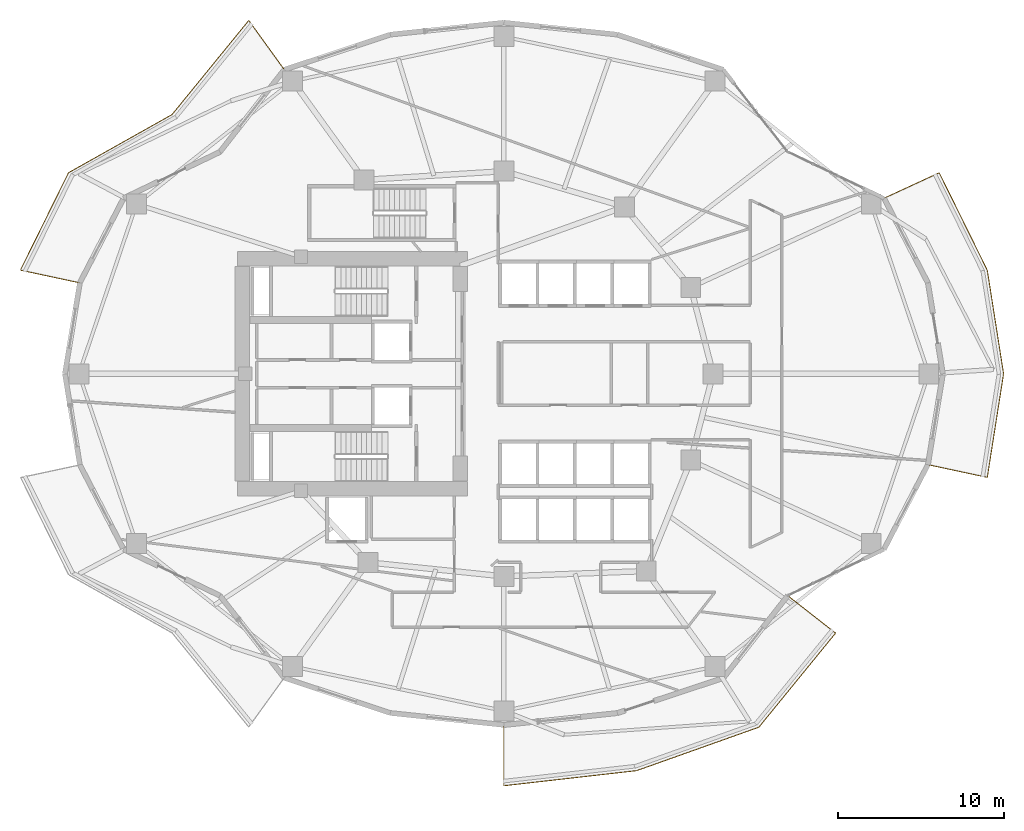
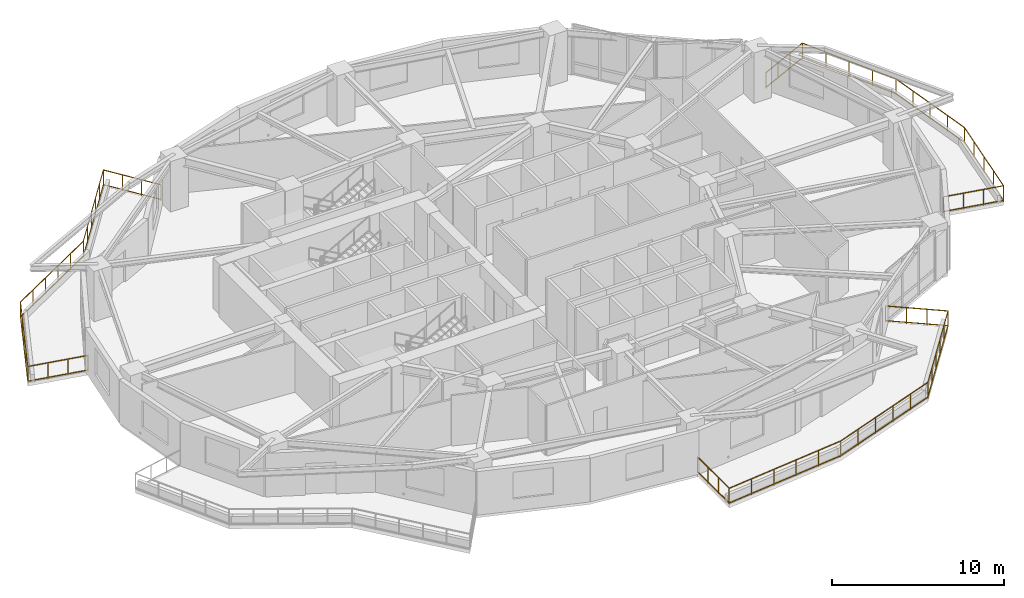
# One storey, part 12 of 13: 3 railings.
"""IFC4 building model written with IfcOpenShell, lengths in metres."""

from ifc_helpers import new_model, si_unit, direction, frame, origin, origin_2d, place, context, subcontext, project, spatial, rectangle, extrude, material, type_object, element, save


model = new_model("IFC4")

# Units and contexts
model_context = context("Model", 3, precision=1e-05, world=origin(), true_north=direction((0.0, 1.0)))
body_context = subcontext(model_context, "Body", "Model", "MODEL_VIEW")
ifc_project = project(units=[si_unit("LENGTHUNIT", "METRE"), si_unit("AREAUNIT", "SQUARE_METRE"), si_unit("VOLUMEUNIT", "CUBIC_METRE"), si_unit("PLANEANGLEUNIT", "RADIAN"), si_unit("MASSUNIT", "GRAM", prefix="KILO")], contexts=[model_context])

# Site, building, storey
site_placement = place(None, origin())
site = spatial("IfcSite", under=ifc_project, at=site_placement, CompositionType="ELEMENT")
building_placement = place(site_placement, origin())
building = spatial("IfcBuilding", under=site, at=building_placement, Name="Kolvaren Gate Tower and Convention Centre", CompositionType="ELEMENT")
storey_placement = place(building_placement, frame((0.0, 0.0, 76.550048828125)))
storey = spatial("IfcBuildingStorey", under=building, at=storey_placement, Name="L18", CompositionType="ELEMENT", Elevation=76.550048828125)

# Railings
ifc_material = material(Name="Brushed Stainless Steel Grade 316L", Category="steel")
railing_type = type_object("IfcRailingType", Name="ARCH-RL-GUARD-1150", PredefinedType="GUARDRAIL", material=ifc_material)
railing_1_placement = place(storey_placement, frame((16.90625, 45.31640625, 0.0)))
element("IfcRailing", 1, at=railing_1_placement, inside=storey, type_object=railing_type, Name="Tower L18 Terrace Perimeter Guardrail GR-1", PredefinedType="GUARDRAIL", context=body_context, shape_type="SweptSolid", body=[
    extrude(rectangle(XDim=0.048095703125, YDim=0.048095703125, at=origin_2d()), frame((-0.016357421875, 0.022705078125, 1.1259765625), z_axis=(-0.585212870465, 0.810879705161, 0.0), x_axis=(-0.810879705161, -0.585212870465, 0.0)), (0.0, 0.0, 1.0), 3.603759765625),
    extrude(rectangle(XDim=0.048095703125, YDim=0.048095703125, at=origin_2d()), frame((-0.016357421875, 0.022705078125, 0.083984375), z_axis=(-0.585212870465, 0.810879705161, 0.0), x_axis=(-0.810879705161, -0.585212870465, 0.0)), (0.0, 0.0, 1.0), 3.603759765625),
    extrude(rectangle(XDim=0.048095703125, YDim=0.048095703125, at=origin_2d()), frame((-2.15966796875, 2.946044921875, 1.1259765625), z_axis=(-0.631819273026, -0.775115737315, 0.0), x_axis=(0.775115737315, -0.631819273026, 0.0)), (0.0, 0.0, 1.0), 7.259765625),
    extrude(rectangle(XDim=0.048095703125, YDim=0.048095703125, at=origin_2d()), frame((-2.15966796875, 2.946044921875, 0.083984375), z_axis=(-0.631819273026, -0.775115737315, 0.0), x_axis=(0.775115737315, -0.631819273026, 0.0)), (0.0, 0.0, 1.0), 7.259765625),
    extrude(rectangle(XDim=0.048095703125, YDim=0.048095703125, at=origin_2d()), frame((-6.78857421875, -2.716552734375, 1.1259765625), z_axis=(-0.871783301661, -0.489891697159, 0.0), x_axis=(0.489891697159, -0.871783301661, 0.0)), (0.0, 0.0, 1.0), 7.096435546875),
    extrude(rectangle(XDim=0.048095703125, YDim=0.048095703125, at=origin_2d()), frame((-6.78857421875, -2.716552734375, 0.083984375), z_axis=(-0.871783301661, -0.489891697159, 0.0), x_axis=(0.489891697159, -0.871783301661, 0.0)), (0.0, 0.0, 1.0), 7.096435546875),
    extrude(rectangle(XDim=0.048095703125, YDim=0.048095703125, at=origin_2d()), frame((-13.011962890625, -6.23193359375, 1.1259765625), z_axis=(-0.442686636348, -0.89667638644, 0.0), x_axis=(0.89667638644, -0.442686636348, 0.0)), (0.0, 0.0, 1.0), 6.488525390625),
    extrude(rectangle(XDim=0.048095703125, YDim=0.048095703125, at=origin_2d()), frame((-13.011962890625, -6.23193359375, 0.083984375), z_axis=(-0.442686636348, -0.89667638644, 0.0), x_axis=(0.89667638644, -0.442686636348, 0.0)), (0.0, 0.0, 1.0), 6.488525390625),
    extrude(rectangle(XDim=0.048095703125, YDim=0.048095703125, at=origin_2d()), frame((-15.869384765625, -12.0810546875, 1.1259765625), z_axis=(0.977791675321, -0.209579196661, 0.0), x_axis=(0.209579196661, 0.977791675321, 0.0)), (0.0, 0.0, 1.0), 3.60400390625),
    extrude(rectangle(XDim=0.048095703125, YDim=0.048095703125, at=origin_2d()), frame((-15.869384765625, -12.0810546875, 0.083984375), z_axis=(0.977791675321, -0.209579196661, 0.0), x_axis=(0.209579196661, 0.977791675321, 0.0)), (0.0, 0.0, 1.0), 3.60400390625),
    extrude(rectangle(XDim=0.0419921875, YDim=0.0419921875, at=origin_2d()), origin(), (0.0, 0.0, 1.0), 1.14990234375),
    extrude(rectangle(XDim=0.0419921875, YDim=0.0419921875, at=origin_2d()), frame((-2.141845703125, 2.9677734375, 0.0)), (0.0, 0.0, 1.0), 1.14990234375),
    extrude(rectangle(XDim=0.0419921875, YDim=0.0419921875, at=origin_2d()), frame((-0.7138671875, 0.9892578125, 0.0)), (0.0, 0.0, 1.0), 1.099853515625),
    extrude(rectangle(XDim=0.0419921875, YDim=0.0419921875, at=origin_2d()), frame((-1.427978515625, 1.978515625, 0.0)), (0.0, 0.0, 1.0), 1.099853515625),
    extrude(rectangle(XDim=0.0419921875, YDim=0.0419921875, at=origin_2d()), frame((-6.76416015625, -2.702880859375, 0.0)), (0.0, 0.0, 1.0), 1.14990234375),
    extrude(rectangle(XDim=0.0419921875, YDim=0.0419921875, at=origin_2d()), frame((-3.06640625, 1.833740234375, 0.0)), (0.0, 0.0, 1.0), 1.099853515625),
    extrude(rectangle(XDim=0.0419921875, YDim=0.0419921875, at=origin_2d()), frame((-3.99072265625, 0.699462890625, 0.0)), (0.0, 0.0, 1.0), 1.099853515625),
    extrude(rectangle(XDim=0.0419921875, YDim=0.0419921875, at=origin_2d()), frame((-4.915283203125, -0.4345703125, 0.0)), (0.0, 0.0, 1.0), 1.099853515625),
    extrude(rectangle(XDim=0.0419921875, YDim=0.0419921875, at=origin_2d()), frame((-5.839599609375, -1.56884765625, 0.0)), (0.0, 0.0, 1.0), 1.099853515625),
    extrude(rectangle(XDim=0.0419921875, YDim=0.0419921875, at=origin_2d()), frame((-12.99951171875, -6.206787109375, 0.0)), (0.0, 0.0, 1.0), 1.14990234375),
    extrude(rectangle(XDim=0.0419921875, YDim=0.0419921875, at=origin_2d()), frame((-8.01123046875, -3.403564453125, 0.0)), (0.0, 0.0, 1.0), 1.099853515625),
    extrude(rectangle(XDim=0.0419921875, YDim=0.0419921875, at=origin_2d()), frame((-9.25830078125, -4.1044921875, 0.0)), (0.0, 0.0, 1.0), 1.099853515625),
    extrude(rectangle(XDim=0.0419921875, YDim=0.0419921875, at=origin_2d()), frame((-10.50537109375, -4.80517578125, 0.0)), (0.0, 0.0, 1.0), 1.099853515625),
    extrude(rectangle(XDim=0.0419921875, YDim=0.0419921875, at=origin_2d()), frame((-11.75244140625, -5.506103515625, 0.0)), (0.0, 0.0, 1.0), 1.099853515625),
    extrude(rectangle(XDim=0.0419921875, YDim=0.0419921875, at=origin_2d()), frame((-15.896728515625, -12.0751953125, 0.0)), (0.0, 0.0, 1.0), 1.14990234375),
    extrude(rectangle(XDim=0.0419921875, YDim=0.0419921875, at=origin_2d()), frame((-13.723876953125, -7.673828125, 0.0)), (0.0, 0.0, 1.0), 1.099853515625),
    extrude(rectangle(XDim=0.0419921875, YDim=0.0419921875, at=origin_2d()), frame((-14.4482421875, -9.14111328125, 0.0)), (0.0, 0.0, 1.0), 1.099853515625),
    extrude(rectangle(XDim=0.0419921875, YDim=0.0419921875, at=origin_2d()), frame((-15.17236328125, -10.608154296875, 0.0)), (0.0, 0.0, 1.0), 1.099853515625),
    extrude(rectangle(XDim=0.0419921875, YDim=0.0419921875, at=origin_2d()), frame((-12.31787109375, -12.84228515625, 0.0)), (0.0, 0.0, 1.0), 1.14990234375),
    extrude(rectangle(XDim=0.0419921875, YDim=0.0419921875, at=origin_2d()), frame((-14.703857421875, -12.330810546875, 0.0)), (0.0, 0.0, 1.0), 1.099853515625),
    extrude(rectangle(XDim=0.0419921875, YDim=0.0419921875, at=origin_2d()), frame((-13.5107421875, -12.586669921875, 0.0)), (0.0, 0.0, 1.0), 1.099853515625),
])
railing_2_placement = place(storey_placement, frame((30.125, 5.85009765625, 0.0)))
element("IfcRailing", 2, at=railing_2_placement, inside=storey, type_object=railing_type, Name="Tower L18 Terrace Perimeter Guardrail GR-3", PredefinedType="GUARDRAIL", context=body_context, shape_type="SweptSolid", body=[
    extrude(rectangle(XDim=0.048095703125, YDim=0.048095703125, at=origin_2d()), frame((0.0, -0.028076171875, 1.1259765625), z_axis=(0.0, -1.0, 0.0), x_axis=(1.0, 0.0, 0.0)), (0.0, 0.0, 1.0), 3.60400390625),
    extrude(rectangle(XDim=0.048095703125, YDim=0.048095703125, at=origin_2d()), frame((0.0, -0.028076171875, 0.083984375), z_axis=(0.0, -1.0, 0.0), x_axis=(1.0, 0.0, 0.0)), (0.0, 0.0, 1.0), 3.60400390625),
    extrude(rectangle(XDim=0.048095703125, YDim=0.048095703125, at=origin_2d()), frame((0.02783203125, -3.656982421875, 1.1259765625), z_axis=(0.993598144351, 0.112972242349, 0.0), x_axis=(-0.112972242349, 0.993598144351, 0.0)), (0.0, 0.0, 1.0), 8.000244140625),
    extrude(rectangle(XDim=0.048095703125, YDim=0.048095703125, at=origin_2d()), frame((0.02783203125, -3.656982421875, 0.083984375), z_axis=(0.993598144351, 0.112972242349, 0.0), x_axis=(-0.112972242349, 0.993598144351, 0.0)), (0.0, 0.0, 1.0), 8.000244140625),
    extrude(rectangle(XDim=0.048095703125, YDim=0.048095703125, at=origin_2d()), frame((8.03125, -2.74072265625, 1.1259765625), z_axis=(0.942200211781, 0.335050385643, 0.0), x_axis=(-0.335050385643, 0.942200211781, 0.0)), (0.0, 0.0, 1.0), 7.7509765625),
    extrude(rectangle(XDim=0.048095703125, YDim=0.048095703125, at=origin_2d()), frame((8.03125, -2.74072265625, 0.083984375), z_axis=(0.942200211781, 0.335050385643, 0.0), x_axis=(-0.335050385643, 0.942200211781, 0.0)), (0.0, 0.0, 1.0), 7.7509765625),
    extrude(rectangle(XDim=0.048095703125, YDim=0.048095703125, at=origin_2d()), frame((15.37841796875, -0.112548828125, 1.1259765625), z_axis=(0.631819273026, 0.775115737315, 0.0), x_axis=(-0.775115737315, 0.631819273026, 0.0)), (0.0, 0.0, 1.0), 7.259765625),
    extrude(rectangle(XDim=0.048095703125, YDim=0.048095703125, at=origin_2d()), frame((15.37841796875, -0.112548828125, 0.083984375), z_axis=(0.631819273026, 0.775115737315, 0.0), x_axis=(-0.775115737315, 0.631819273026, 0.0)), (0.0, 0.0, 1.0), 7.259765625),
    extrude(rectangle(XDim=0.048095703125, YDim=0.048095703125, at=origin_2d()), frame((19.960693359375, 5.5537109375, 1.1259765625), z_axis=(-0.787988976981, 0.61568934712, 0.0), x_axis=(-0.61568934712, -0.787988976981, 0.0)), (0.0, 0.0, 1.0), 3.60400390625),
    extrude(rectangle(XDim=0.048095703125, YDim=0.048095703125, at=origin_2d()), frame((19.960693359375, 5.5537109375, 0.083984375), z_axis=(-0.787988976981, 0.61568934712, 0.0), x_axis=(-0.61568934712, -0.787988976981, 0.0)), (0.0, 0.0, 1.0), 3.60400390625),
    extrude(rectangle(XDim=0.0419921875, YDim=0.0419921875, at=origin_2d()), origin(), (0.0, 0.0, 1.0), 1.14990234375),
    extrude(rectangle(XDim=0.0419921875, YDim=0.0419921875, at=origin_2d()), frame((0.0, -3.66015625, 0.0)), (0.0, 0.0, 1.0), 1.14990234375),
    extrude(rectangle(XDim=0.0419921875, YDim=0.0419921875, at=origin_2d()), frame((0.0, -1.219970703125, 0.0)), (0.0, 0.0, 1.0), 1.099853515625),
    extrude(rectangle(XDim=0.0419921875, YDim=0.0419921875, at=origin_2d()), frame((0.0, -2.440185546875, 0.0)), (0.0, 0.0, 1.0), 1.099853515625),
    extrude(rectangle(XDim=0.0419921875, YDim=0.0419921875, at=origin_2d()), frame((8.0048828125, -2.75, 0.0)), (0.0, 0.0, 1.0), 1.14990234375),
    extrude(rectangle(XDim=0.0419921875, YDim=0.0419921875, at=origin_2d()), frame((1.60107421875, -3.47802734375, 0.0)), (0.0, 0.0, 1.0), 1.099853515625),
    extrude(rectangle(XDim=0.0419921875, YDim=0.0419921875, at=origin_2d()), frame((3.201904296875, -3.296142578125, 0.0)), (0.0, 0.0, 1.0), 1.099853515625),
    extrude(rectangle(XDim=0.0419921875, YDim=0.0419921875, at=origin_2d()), frame((4.802978515625, -3.114013671875, 0.0)), (0.0, 0.0, 1.0), 1.099853515625),
    extrude(rectangle(XDim=0.0419921875, YDim=0.0419921875, at=origin_2d()), frame((6.40380859375, -2.93212890625, 0.0)), (0.0, 0.0, 1.0), 1.099853515625),
    extrude(rectangle(XDim=0.0419921875, YDim=0.0419921875, at=origin_2d()), frame((15.360595703125, -0.13427734375, 0.0)), (0.0, 0.0, 1.0), 1.14990234375),
    extrude(rectangle(XDim=0.0419921875, YDim=0.0419921875, at=origin_2d()), frame((9.47607421875, -2.226806640625, 0.0)), (0.0, 0.0, 1.0), 1.099853515625),
    extrude(rectangle(XDim=0.0419921875, YDim=0.0419921875, at=origin_2d()), frame((10.947265625, -1.70361328125, 0.0)), (0.0, 0.0, 1.0), 1.099853515625),
    extrude(rectangle(XDim=0.0419921875, YDim=0.0419921875, at=origin_2d()), frame((12.418212890625, -1.1806640625, 0.0)), (0.0, 0.0, 1.0), 1.099853515625),
    extrude(rectangle(XDim=0.0419921875, YDim=0.0419921875, at=origin_2d()), frame((13.889404296875, -0.657470703125, 0.0)), (0.0, 0.0, 1.0), 1.099853515625),
    extrude(rectangle(XDim=0.0419921875, YDim=0.0419921875, at=origin_2d()), frame((19.98291015625, 5.536376953125, 0.0)), (0.0, 0.0, 1.0), 1.14990234375),
    extrude(rectangle(XDim=0.0419921875, YDim=0.0419921875, at=origin_2d()), frame((16.28515625, 0.999755859375, 0.0)), (0.0, 0.0, 1.0), 1.099853515625),
    extrude(rectangle(XDim=0.0419921875, YDim=0.0419921875, at=origin_2d()), frame((17.20947265625, 2.134033203125, 0.0)), (0.0, 0.0, 1.0), 1.099853515625),
    extrude(rectangle(XDim=0.0419921875, YDim=0.0419921875, at=origin_2d()), frame((18.134033203125, 3.26806640625, 0.0)), (0.0, 0.0, 1.0), 1.099853515625),
    extrude(rectangle(XDim=0.0419921875, YDim=0.0419921875, at=origin_2d()), frame((19.058349609375, 4.40234375, 0.0)), (0.0, 0.0, 1.0), 1.099853515625),
    extrude(rectangle(XDim=0.0419921875, YDim=0.0419921875, at=origin_2d()), frame((17.098876953125, 7.789794921875, 0.0)), (0.0, 0.0, 1.0), 1.14990234375),
    extrude(rectangle(XDim=0.0419921875, YDim=0.0419921875, at=origin_2d()), frame((19.021484375, 6.28759765625, 0.0)), (0.0, 0.0, 1.0), 1.099853515625),
    extrude(rectangle(XDim=0.0419921875, YDim=0.0419921875, at=origin_2d()), frame((18.060302734375, 7.03857421875, 0.0)), (0.0, 0.0, 1.0), 1.099853515625),
])
railing_3_placement = place(storey_placement, frame((55.66162109375, 21.52587890625, 0.0)))
element("IfcRailing", 3, at=railing_3_placement, inside=storey, type_object=railing_type, Name="Tower L18 Terrace Perimeter Guardrail GR-4", PredefinedType="GUARDRAIL", context=body_context, shape_type="SweptSolid", body=[
    extrude(rectangle(XDim=0.048095703125, YDim=0.048095703125, at=origin_2d()), frame((0.02734375, -0.005859375, 1.1259765625), z_axis=(0.977791675321, -0.209579196661, 0.0), x_axis=(0.209579196661, 0.977791675321, 0.0)), (0.0, 0.0, 1.0), 3.60400390625),
    extrude(rectangle(XDim=0.048095703125, YDim=0.048095703125, at=origin_2d()), frame((0.02734375, -0.005859375, 0.083984375), z_axis=(0.977791675321, -0.209579196661, 0.0), x_axis=(0.209579196661, 0.977791675321, 0.0)), (0.0, 0.0, 1.0), 3.60400390625),
    extrude(rectangle(XDim=0.048095703125, YDim=0.048095703125, at=origin_2d()), frame((3.583251953125, -0.739501953125, 1.1259765625), z_axis=(0.155418843943, 0.98784866399, 0.0), x_axis=(-0.98784866399, 0.155418843943, 0.0)), (0.0, 0.0, 1.0), 6.261962890625),
    extrude(rectangle(XDim=0.048095703125, YDim=0.048095703125, at=origin_2d()), frame((3.583251953125, -0.739501953125, 0.083984375), z_axis=(0.155418843943, 0.98784866399, 0.0), x_axis=(-0.98784866399, 0.155418843943, 0.0)), (0.0, 0.0, 1.0), 6.261962890625),
    extrude(rectangle(XDim=0.048095703125, YDim=0.048095703125, at=origin_2d()), frame((4.556396484375, 5.501708984375, 1.1259765625), z_axis=(-0.155418843943, 0.98784866399, 0.0), x_axis=(-0.98784866399, -0.155418843943, 0.0)), (0.0, 0.0, 1.0), 6.261962890625),
    extrude(rectangle(XDim=0.048095703125, YDim=0.048095703125, at=origin_2d()), frame((4.556396484375, 5.501708984375, 0.083984375), z_axis=(-0.155418843943, 0.98784866399, 0.0), x_axis=(-0.98784866399, -0.155418843943, 0.0)), (0.0, 0.0, 1.0), 6.261962890625),
    extrude(rectangle(XDim=0.048095703125, YDim=0.048095703125, at=origin_2d()), frame((3.56640625, 11.740478515625, 1.1259765625), z_axis=(-0.442686636348, 0.89667638644, 0.0), x_axis=(-0.89667638644, -0.442686636348, 0.0)), (0.0, 0.0, 1.0), 6.488525390625),
    extrude(rectangle(XDim=0.048095703125, YDim=0.048095703125, at=origin_2d()), frame((3.56640625, 11.740478515625, 0.083984375), z_axis=(-0.442686636348, 0.89667638644, 0.0), x_axis=(-0.89667638644, -0.442686636348, 0.0)), (0.0, 0.0, 1.0), 6.488525390625),
    extrude(rectangle(XDim=0.048095703125, YDim=0.048095703125, at=origin_2d()), frame((0.65625, 17.572021484375, 1.1259765625), z_axis=(-0.907846116663, -0.419303503993, 0.0), x_axis=(0.419303503993, -0.907846116663, 0.0)), (0.0, 0.0, 1.0), 3.60400390625),
    extrude(rectangle(XDim=0.048095703125, YDim=0.048095703125, at=origin_2d()), frame((0.65625, 17.572021484375, 0.083984375), z_axis=(-0.907846116663, -0.419303503993, 0.0), x_axis=(0.419303503993, -0.907846116663, 0.0)), (0.0, 0.0, 1.0), 3.60400390625),
    extrude(rectangle(XDim=0.0419921875, YDim=0.0419921875, at=origin_2d()), origin(), (0.0, 0.0, 1.0), 1.14990234375),
    extrude(rectangle(XDim=0.0419921875, YDim=0.0419921875, at=origin_2d()), frame((3.578857421875, -0.76708984375, 0.0)), (0.0, 0.0, 1.0), 1.14990234375),
    extrude(rectangle(XDim=0.0419921875, YDim=0.0419921875, at=origin_2d()), frame((1.19287109375, -0.255615234375, 0.0)), (0.0, 0.0, 1.0), 1.099853515625),
    extrude(rectangle(XDim=0.0419921875, YDim=0.0419921875, at=origin_2d()), frame((2.385986328125, -0.511474609375, 0.0)), (0.0, 0.0, 1.0), 1.099853515625),
    extrude(rectangle(XDim=0.0419921875, YDim=0.0419921875, at=origin_2d()), frame((4.560791015625, 5.47412109375, 0.0)), (0.0, 0.0, 1.0), 1.14990234375),
    extrude(rectangle(XDim=0.0419921875, YDim=0.0419921875, at=origin_2d()), frame((3.82421875, 0.793212890625, 0.0)), (0.0, 0.0, 1.0), 1.099853515625),
    extrude(rectangle(XDim=0.0419921875, YDim=0.0419921875, at=origin_2d()), frame((4.06982421875, 2.353515625, 0.0)), (0.0, 0.0, 1.0), 1.099853515625),
    extrude(rectangle(XDim=0.0419921875, YDim=0.0419921875, at=origin_2d()), frame((4.3154296875, 3.913818359375, 0.0)), (0.0, 0.0, 1.0), 1.099853515625),
    extrude(rectangle(XDim=0.0419921875, YDim=0.0419921875, at=origin_2d()), frame((3.578857421875, 11.71533203125, 0.0)), (0.0, 0.0, 1.0), 1.14990234375),
    extrude(rectangle(XDim=0.0419921875, YDim=0.0419921875, at=origin_2d()), frame((4.3154296875, 7.034423828125, 0.0)), (0.0, 0.0, 1.0), 1.099853515625),
    extrude(rectangle(XDim=0.0419921875, YDim=0.0419921875, at=origin_2d()), frame((4.06982421875, 8.5947265625, 0.0)), (0.0, 0.0, 1.0), 1.099853515625),
    extrude(rectangle(XDim=0.0419921875, YDim=0.0419921875, at=origin_2d()), frame((3.82421875, 10.155029296875, 0.0)), (0.0, 0.0, 1.0), 1.099853515625),
    extrude(rectangle(XDim=0.0419921875, YDim=0.0419921875, at=origin_2d()), frame((0.681640625, 17.583740234375, 0.0)), (0.0, 0.0, 1.0), 1.14990234375),
    extrude(rectangle(XDim=0.0419921875, YDim=0.0419921875, at=origin_2d()), frame((2.8544921875, 13.182373046875, 0.0)), (0.0, 0.0, 1.0), 1.099853515625),
    extrude(rectangle(XDim=0.0419921875, YDim=0.0419921875, at=origin_2d()), frame((2.13037109375, 14.6494140625, 0.0)), (0.0, 0.0, 1.0), 1.099853515625),
    extrude(rectangle(XDim=0.0419921875, YDim=0.0419921875, at=origin_2d()), frame((1.406005859375, 16.11669921875, 0.0)), (0.0, 0.0, 1.0), 1.099853515625),
    extrude(rectangle(XDim=0.0419921875, YDim=0.0419921875, at=origin_2d()), frame((-2.64111328125, 16.049072265625, 0.0)), (0.0, 0.0, 1.0), 1.14990234375),
    extrude(rectangle(XDim=0.0419921875, YDim=0.0419921875, at=origin_2d()), frame((-0.426025390625, 17.072265625, 0.0)), (0.0, 0.0, 1.0), 1.099853515625),
    extrude(rectangle(XDim=0.0419921875, YDim=0.0419921875, at=origin_2d()), frame((-1.533447265625, 16.560546875, 0.0)), (0.0, 0.0, 1.0), 1.099853515625),
])

save(model, "model.ifc")
